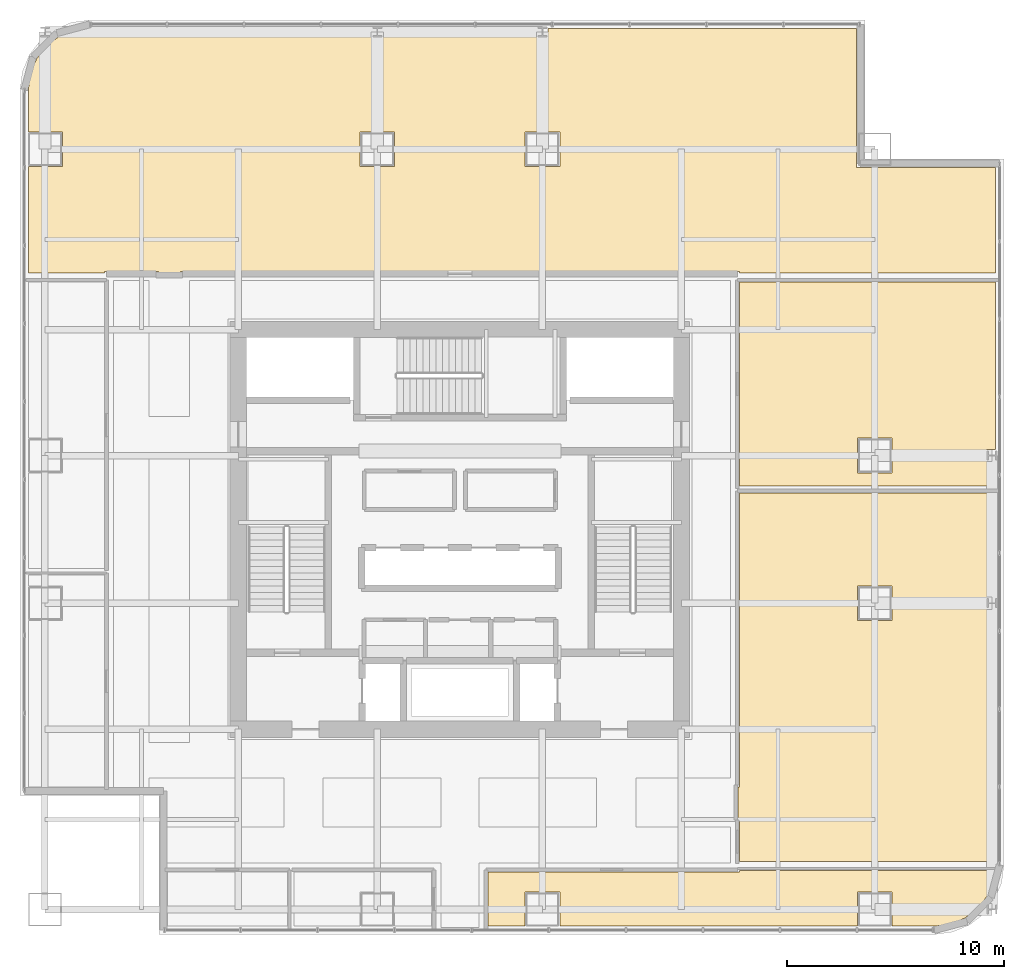
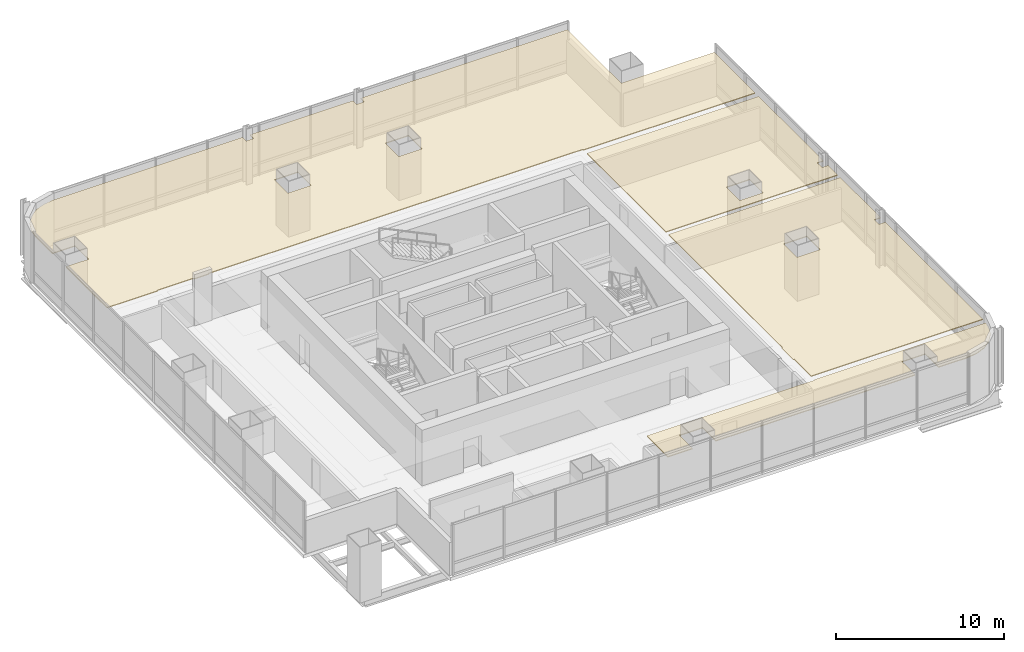
# One storey, part 33 of 33: 4 coverings.
"""IFC4 building model written with IfcOpenShell, lengths in metres."""

from ifc_helpers import new_model, si_unit, direction, frame, origin, place, context, subcontext, project, spatial, polyline, outline, extrude, material, layer, layer_set, type_object, element, save


model = new_model("IFC4")

# Units and contexts
model_context = context("Model", 3, precision=1e-05, world=origin(), true_north=direction((0.0, 1.0)))
body_context = subcontext(model_context, "Body", "Model", "MODEL_VIEW")
ifc_project = project(units=[si_unit("LENGTHUNIT", "METRE"), si_unit("AREAUNIT", "SQUARE_METRE"), si_unit("VOLUMEUNIT", "CUBIC_METRE"), si_unit("PLANEANGLEUNIT", "RADIAN"), si_unit("MASSUNIT", "GRAM", prefix="KILO")], contexts=[model_context])

# Site, building, storey
site_placement = place(None, origin())
site = spatial("IfcSite", under=ifc_project, at=site_placement, CompositionType="ELEMENT")
building_placement = place(site_placement, origin())
building = spatial("IfcBuilding", under=site, at=building_placement, Name="Punatoya Terracotta Tower", CompositionType="ELEMENT")
storey_placement = place(building_placement, frame((0.0, 0.0, 121.35009765625)))
storey = spatial("IfcBuildingStorey", under=building, at=storey_placement, Name="L28", CompositionType="ELEMENT", Elevation=121.35009765625)

# Coverings
ifc_material = material(Name="Acoustic Mineral Fibre Ceiling")
ifc_layer = layer(ifc_material, 0.06005859375)
ifc_layer_set = layer_set([ifc_layer], Name="Acoustic Mineral Fibre Ceiling")
covering_type = type_object("IfcCoveringType", Name="COV-CEIL-60", PredefinedType="CEILING", material=ifc_layer_set)
covering_1_placement = place(storey_placement, frame((0.0, 0.0, 3.199951171875)))
element("IfcCovering", 1, at=covering_1_placement, inside=storey, type_object=covering_type, Name="L28 Open-Plan Cultural History Classroom Acoustic Ceiling", PredefinedType="CEILING", context=body_context, shape_type="SweptSolid", body=[
    extrude(outline(polyline([(3.0, -18.27001953125), (3.0, -16.699951171875), (4.60009765625, -16.699951171875), (4.60009765625, -18.27001953125), (18.300048828125, -18.27001953125), (18.300048828125, -16.699951171875), (19.89990234375, -16.699951171875), (19.89990234375, -18.27001953125), (21.8251953125, -18.27001953125), (22.5791015625, -18.1708984375), (23.25830078125, -17.889404296875), (23.841796875, -17.441650390625), (24.289306640625, -16.8583984375), (24.57080078125, -16.178955078125), (24.632568359375, -15.7099609375), (12.8701171875, -15.7099609375), (12.8701171875, -15.77001953125), (1.300048828125, -15.77001953125), (1.300048828125, -18.27001953125), (3.0, -18.27001953125)])), origin(), (0.0, 0.0, 1.0), 0.06005859375),
])
covering_2_placement = place(storey_placement, frame((0.0, 0.0, 3.199951171875)))
element("IfcCovering", 2, at=covering_2_placement, inside=storey, type_object=covering_type, Name="L28 Nutrition Tea Pantry Acoustic Ceiling", PredefinedType="CEILING", context=body_context, shape_type="SweptSolid", body=[
    extrude(outline(polyline([(12.81005859375, -13.280029296875), (12.8701171875, -13.280029296875), (12.8701171875, -15.2900390625), (24.669921875, -15.2900390625), (24.669921875, -3.673095703125), (24.241943359375, -3.673095703125), (24.241943359375, -3.126953125), (24.669921875, -3.126953125), (24.669921875, 1.669921875), (12.8701171875, 1.669921875), (12.8701171875, -11.8701171875), (12.81005859375, -11.8701171875), (12.81005859375, -13.280029296875)]), holes=[polyline([(19.89990234375, -2.60009765625), (19.89990234375, -4.199951171875), (18.300048828125, -4.199951171875), (18.300048828125, -2.60009765625), (19.89990234375, -2.60009765625)])]), origin(), (0.0, 0.0, 1.0), 0.06005859375),
])
covering_3_placement = place(storey_placement, frame((0.0, 0.0, 3.199951171875)))
element("IfcCovering", 3, at=covering_3_placement, inside=storey, type_object=covering_type, Name="L28 Open-Plan Cultural Reading Library Acoustic Ceiling", PredefinedType="CEILING", context=body_context, shape_type="SweptSolid", body=[
    extrude(outline(polyline([(12.8701171875, 11.389892578125), (12.8701171875, 1.989990234375), (24.669921875, 1.989990234375), (24.669921875, 3.126953125), (24.241943359375, 3.126953125), (24.241943359375, 3.673095703125), (24.669921875, 3.673095703125), (24.669921875, 11.389892578125), (12.8701171875, 11.389892578125)]), holes=[polyline([(19.89990234375, 2.60009765625), (18.300048828125, 2.60009765625), (18.300048828125, 4.199951171875), (19.89990234375, 4.199951171875), (19.89990234375, 2.60009765625)])]), origin(), (0.0, 0.0, 1.0), 0.06005859375),
])
covering_4_placement = place(storey_placement, frame((0.0, 0.0, 3.199951171875)))
element("IfcCovering", 4, at=covering_4_placement, inside=storey, type_object=covering_type, Name="L28 Fitness Movement Lounge Acoustic Ceiling", PredefinedType="CEILING", context=body_context, shape_type="SweptSolid", body=[
    extrude(outline(polyline([(-19.8701171875, 11.81005859375), (-16.3701171875, 11.81005859375), (-16.3701171875, 11.8701171875), (-13.8798828125, 11.8701171875), (-13.8798828125, 11.81005859375), (-12.8701171875, 11.81005859375), (-12.8701171875, 11.8701171875), (12.8701171875, 11.8701171875), (12.8701171875, 11.81005859375), (24.669921875, 11.81005859375), (24.669921875, 16.669921875), (18.27001953125, 16.669921875), (18.27001953125, 23.070068359375), (4.05810546875, 23.070068359375), (4.05810546875, 22.626953125), (3.5419921875, 22.626953125), (3.5419921875, 23.070068359375), (-3.5419921875, 23.070068359375), (-3.5419921875, 22.626953125), (-4.05810546875, 22.626953125), (-4.05810546875, 23.070068359375), (-17.025146484375, 23.070068359375), (-17.779052734375, 22.970703125), (-18.458251953125, 22.689453125), (-19.041748046875, 22.24169921875), (-19.489501953125, 21.658203125), (-19.770751953125, 20.97900390625), (-19.8701171875, 20.22509765625), (-19.8701171875, 18.300048828125), (-18.300048828125, 18.300048828125), (-18.300048828125, 16.699951171875), (-19.8701171875, 16.699951171875), (-19.8701171875, 11.81005859375)]), holes=[polyline([(3.0, 18.300048828125), (4.60009765625, 18.300048828125), (4.60009765625, 16.699951171875), (3.0, 16.699951171875), (3.0, 18.300048828125)]), polyline([(-3.0, 18.300048828125), (-3.0, 16.699951171875), (-4.60009765625, 16.699951171875), (-4.60009765625, 18.300048828125), (-3.0, 18.300048828125)])]), origin(), (0.0, 0.0, 1.0), 0.06005859375),
])

save(model, "model.ifc")
